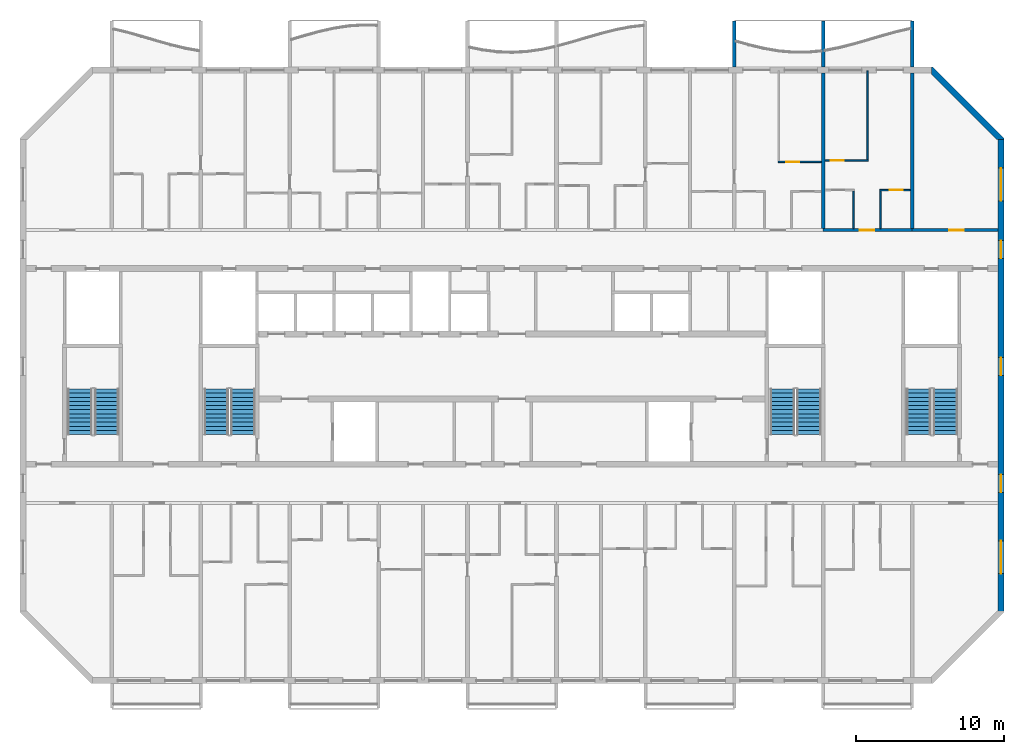
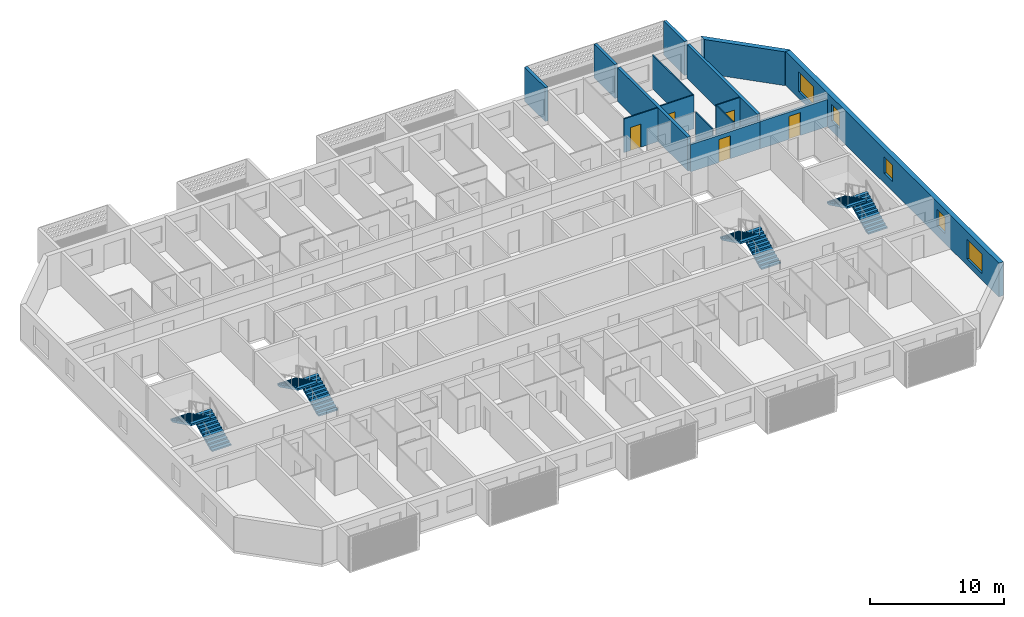
# One storey, part 11 of 26: 15 walls, 8 stair flights, 5 doors, 5 windows, 10 openings, 4 elements without a shape of their own.
"""IFC4 building model written with IfcOpenShell, lengths in metres."""

from ifc_helpers import new_model, si_unit, direction, frame, frame_2d, origin, place, context, subcontext, project, spatial, polyline, rectangle, outline, extrude, source, transform, mapped, material, layer, layer_set, type_object, element, fill, aggregate, save


model = new_model("IFC4")

# Units and contexts
model_context = context("Model", 3, precision=1e-05, world=origin(), true_north=direction((0.0, 1.0)))
body_context = subcontext(model_context, "Body", "Model", "MODEL_VIEW")
ifc_project = project(units=[si_unit("LENGTHUNIT", "METRE"), si_unit("AREAUNIT", "SQUARE_METRE"), si_unit("VOLUMEUNIT", "CUBIC_METRE"), si_unit("PLANEANGLEUNIT", "RADIAN"), si_unit("MASSUNIT", "GRAM", prefix="KILO")], contexts=[model_context])

# Site, building, storey
site_placement = place(None, origin())
site = spatial("IfcSite", under=ifc_project, at=site_placement, CompositionType="ELEMENT")
building_placement = place(site_placement, origin())
building = spatial("IfcBuilding", under=site, at=building_placement, Name="Poui Terraces", CompositionType="ELEMENT")
storey_placement = place(building_placement, frame((0.0, 0.0, 175.199951171875)))
storey = spatial("IfcBuildingStorey", under=building, at=storey_placement, Name="L48", CompositionType="ELEMENT", Elevation=175.199951171875)

# Wall, opening, door
ifc_material_1 = material(Name="Concrete 50 MPa", Category="concrete")
ifc_layer_1 = layer(ifc_material_1, 0.199951171875)
ifc_layer_set_1 = layer_set([ifc_layer_1], Name="Concrete 50 MPa")
wall_type_1 = type_object("IfcWallType", Name="CORRIDOR WALL 200 50MPa", PredefinedType="SHEAR", material=ifc_layer_set_1)
wall_1_placement = place(storey_placement, frame((72.0, 30.39990234375, 0.0), z_axis=(0.0, 0.0, 1.0), x_axis=(1.0, 0.0, 0.0)))
wall_1 = element("IfcWall", 1, at=wall_1_placement, inside=storey, type_object=wall_type_1, Name="CORRIDOR WALL LINE E BAY 10", PredefinedType="SHEAR", context=body_context, shape_type="SweptSolid", body=[
    extrude(rectangle(XDim=6.0, YDim=0.199951171875, at=frame_2d((3.0, 0.0))), origin(), (0.0, 0.0, 1.0), 2.47998046875),
])
opening_1_placement = place(wall_1_placement, frame((2.449951171875, 0.0, 0.0)))
opening_1 = element("IfcOpeningElement", 2, at=opening_1_placement, cuts=wall_1, Name="Opening FD30S", PredefinedType="OPENING", context=body_context, shape_type="SweptSolid", body=[
    extrude(rectangle(XDim=1.0, YDim=2.10009765625, at=frame_2d((0.5, 1.050048828125))), frame((0.0, 0.10986328125, 0.0), z_axis=(0.0, -1.0, 0.0), x_axis=(1.0, 0.0, 0.0)), (0.0, 0.0, 1.0), 0.219970703125),
])
ifc_material_2 = material(Name="Steel fire door", Category="steel")
door_type_1 = type_object("IfcDoorType", Name="FLAT ENTRANCE DOOR 1000 X 2100", OperationType="NOTDEFINED", PredefinedType="DOOR", material=ifc_material_2)
door_1_placement = place(opening_1_placement, origin())
door_1 = element("IfcDoor", 3, at=door_1_placement, inside=storey, type_object=door_type_1, Name="FLAT ENTRANCE DOOR 059", OperationType="SINGLE_SWING_LEFT", OverallHeight=2.10009765625, OverallWidth=1.0, PredefinedType="DOOR", context=body_context, shape_type="SweptSolid", body=[
    extrude(rectangle(XDim=1.0, YDim=2.10009765625, at=frame_2d((0.5, 1.050048828125))), frame((0.0, 0.02490234375, 0.0), z_axis=(0.0, -1.0, 0.0), x_axis=(1.0, 0.0, 0.0)), (0.0, 0.0, 1.0), 0.050048828125),
])
fill(opening_1, door_1)

wall_2_placement = place(storey_placement, frame((78.0, 30.39990234375, 0.0), z_axis=(0.0, 0.0, 1.0), x_axis=(1.0, 0.0, 0.0)))
wall_2 = element("IfcWall", 4, at=wall_2_placement, inside=storey, type_object=wall_type_1, Name="CORRIDOR WALL LINE E BAY 11", PredefinedType="SHEAR", context=body_context, shape_type="SweptSolid", body=[
    extrude(rectangle(XDim=5.800048828125, YDim=0.199951171875, at=frame_2d((2.89990234375, 0.0))), origin(), (0.0, 0.0, 1.0), 2.47998046875),
])
opening_2_placement = place(wall_2_placement, frame((2.5, 0.0, 0.0)))
opening_2 = element("IfcOpeningElement", 5, at=opening_2_placement, cuts=wall_2, Name="Opening D100", PredefinedType="OPENING", context=body_context, shape_type="SweptSolid", body=[
    extrude(rectangle(XDim=1.0, YDim=2.10009765625, at=frame_2d((0.5, 1.050048828125))), frame((0.0, 0.10986328125, 0.0), z_axis=(0.0, -1.0, 0.0), x_axis=(1.0, 0.0, 0.0)), (0.0, 0.0, 1.0), 0.219970703125),
])
ifc_material_3 = material(Name="Solid core timber door", Category="wood")
door_type_2 = type_object("IfcDoorType", Name="ACCESSIBLE INTERNAL DOOR 1000 X 2100", OperationType="NOTDEFINED", PredefinedType="DOOR", material=ifc_material_3)
door_2_placement = place(opening_2_placement, origin())
door_2 = element("IfcDoor", 6, at=door_2_placement, inside=storey, type_object=door_type_2, Name="ACCESSIBLE INTERNAL DOOR 061", OperationType="SINGLE_SWING_LEFT", OverallHeight=2.10009765625, OverallWidth=1.0, PredefinedType="DOOR", context=body_context, shape_type="SweptSolid", body=[
    extrude(rectangle(XDim=1.0, YDim=2.10009765625, at=frame_2d((0.5, 1.050048828125))), frame((0.0, 0.02490234375, 0.0), z_axis=(0.0, -1.0, 0.0), x_axis=(1.0, 0.0, 0.0)), (0.0, 0.0, 1.0), 0.050048828125),
])
fill(opening_2, door_2)

# Walls
ifc_layer_2 = layer(ifc_material_1, 0.25)
ifc_layer_set_2 = layer_set([ifc_layer_2], Name="Concrete 50 MPa")
wall_type_2 = type_object("IfcWallType", Name="CROSS WALL 250 50MPa", PredefinedType="SHEAR", material=ifc_layer_set_2)
for number, where, z_axis, x_axis, name in (
    (7, (72.0, 30.5, 0.0), (0.0, 0.0, 1.0), (0.0, 1.0, 0.0), "CROSS WALL LINE 13 NORTH"),
    (8, (78.0, 30.5, 0.0), (0.0, 0.0, 1.0), (0.0, 1.0, 0.0), "CROSS WALL LINE 14 NORTH"),
):
    element("IfcWall", number, at=place(storey_placement, frame(where, z_axis=z_axis, x_axis=x_axis)), inside=storey, type_object=wall_type_2, Name=name, PredefinedType="SHEAR", context=body_context, shape_type="SweptSolid", body=[
        extrude(rectangle(XDim=10.5, YDim=0.25, at=frame_2d((5.25, 0.0))), origin(), (0.0, 0.0, 1.0), 3.080078125),
    ])

# Wall, openings, windows
ifc_layer_3 = layer(ifc_material_1, 0.39990234375)
ifc_layer_set_3 = layer_set([ifc_layer_3], Name="Concrete 50 MPa")
wall_type_3 = type_object("IfcWallType", Name="END WALL 400 50MPa", PredefinedType="SHEAR", material=ifc_layer_set_3)
wall_3_placement = place(storey_placement, frame((84.0, 4.682861328125, 0.0), z_axis=(0.0, 0.0, 1.0), x_axis=(0.0, 1.0, 0.0)))
wall_3 = element("IfcWall", 9, at=wall_3_placement, inside=storey, type_object=wall_type_3, Name="END WALL EAST", PredefinedType="SHEAR", context=body_context, shape_type="SweptSolid", body=[
    extrude(rectangle(XDim=31.834228515625, YDim=0.39990234375, at=frame_2d((15.9169921875, 0.0))), origin(), (0.0, 0.0, 1.0), 3.080078125),
])
opening_3_placement = place(wall_3_placement, frame((23.817138671875, 0.0, 0.89990234375)))
opening_3 = element("IfcOpeningElement", 10, at=opening_3_placement, cuts=wall_3, Name="Opening W2", PredefinedType="OPENING", context=body_context, shape_type="SweptSolid", body=[
    extrude(rectangle(XDim=1.199951171875, YDim=1.5, at=frame_2d((0.60009765625, 0.75))), frame((0.0, 0.2099609375, 0.0), z_axis=(0.0, -1.0, 0.0), x_axis=(1.0, 0.0, 0.0)), (0.0, 0.0, 1.0), 0.419921875),
])
opening_4_placement = place(wall_3_placement, frame((8.01708984375, 0.0, 0.89990234375)))
opening_4 = element("IfcOpeningElement", 11, at=opening_4_placement, cuts=wall_3, Name="Opening W2", PredefinedType="OPENING", context=body_context, shape_type="SweptSolid", body=[
    extrude(rectangle(XDim=1.199951171875, YDim=1.5, at=frame_2d((0.60009765625, 0.75))), frame((0.0, 0.2099609375, 0.0), z_axis=(0.0, -1.0, 0.0), x_axis=(1.0, 0.0, 0.0)), (0.0, 0.0, 1.0), 0.419921875),
])
opening_5_placement = place(wall_3_placement, frame((27.693603515625, 0.0, 0.60009765625)))
opening_5 = element("IfcOpeningElement", 12, at=opening_5_placement, cuts=wall_3, Name="Opening W3", PredefinedType="OPENING", context=body_context, shape_type="SweptSolid", body=[
    extrude(rectangle(XDim=2.199951171875, YDim=1.800048828125, at=frame_2d((1.10009765625, 0.89990234375))), frame((0.0, 0.2099609375, 0.0), z_axis=(0.0, -1.0, 0.0), x_axis=(1.0, 0.0, 0.0)), (0.0, 0.0, 1.0), 0.419921875),
])
opening_6_placement = place(wall_3_placement, frame((2.541015625, 0.0, 0.60009765625)))
opening_6 = element("IfcOpeningElement", 13, at=opening_6_placement, cuts=wall_3, Name="Opening W3", PredefinedType="OPENING", context=body_context, shape_type="SweptSolid", body=[
    extrude(rectangle(XDim=2.199951171875, YDim=1.800048828125, at=frame_2d((1.10009765625, 0.89990234375))), frame((0.0, 0.2099609375, 0.0), z_axis=(0.0, -1.0, 0.0), x_axis=(1.0, 0.0, 0.0)), (0.0, 0.0, 1.0), 0.419921875),
])
opening_7_placement = place(wall_3_placement, frame((15.917236328125, 0.0, 0.89990234375)))
opening_7 = element("IfcOpeningElement", 14, at=opening_7_placement, cuts=wall_3, Name="Opening W2", PredefinedType="OPENING", context=body_context, shape_type="SweptSolid", body=[
    extrude(rectangle(XDim=1.199951171875, YDim=1.5, at=frame_2d((0.60009765625, 0.75))), frame((0.0, 0.2099609375, 0.0), z_axis=(0.0, -1.0, 0.0), x_axis=(1.0, 0.0, 0.0)), (0.0, 0.0, 1.0), 0.419921875),
])
ifc_material_4 = material(Name="Clear glass in aluminium frame", Category="aluminium")
window_type_1 = type_object("IfcWindowType", Name="WINDOW 1200X1500", PartitioningType="SINGLE_PANEL", PredefinedType="WINDOW", material=ifc_material_4)
window_1_placement = place(opening_3_placement, origin())
window_1 = element("IfcWindow", 15, at=window_1_placement, inside=storey, type_object=window_type_1, Name="W2 WINDOW", OverallHeight=1.5, OverallWidth=1.199951171875, PartitioningType="SINGLE_PANEL", PredefinedType="WINDOW", context=body_context, shape_type="SweptSolid", body=[
    extrude(rectangle(XDim=1.199951171875, YDim=1.5, at=frame_2d((0.60009765625, 0.75))), frame((0.0, 0.030029296875, 0.0), z_axis=(0.0, -1.0, 0.0), x_axis=(1.0, 0.0, 0.0)), (0.0, 0.0, 1.0), 0.06005859375),
])
fill(opening_3, window_1)
window_2_placement = place(opening_4_placement, origin())
window_2 = element("IfcWindow", 16, at=window_2_placement, inside=storey, type_object=window_type_1, Name="W2 WINDOW", OverallHeight=1.5, OverallWidth=1.199951171875, PartitioningType="SINGLE_PANEL", PredefinedType="WINDOW", context=body_context, shape_type="SweptSolid", body=[
    extrude(rectangle(XDim=1.199951171875, YDim=1.5, at=frame_2d((0.60009765625, 0.75))), frame((0.0, 0.030029296875, 0.0), z_axis=(0.0, -1.0, 0.0), x_axis=(1.0, 0.0, 0.0)), (0.0, 0.0, 1.0), 0.06005859375),
])
fill(opening_4, window_2)
window_3_placement = place(opening_7_placement, origin())
window_3 = element("IfcWindow", 17, at=window_3_placement, inside=storey, type_object=window_type_1, Name="W2 WINDOW", OverallHeight=1.5, OverallWidth=1.199951171875, PartitioningType="SINGLE_PANEL", PredefinedType="WINDOW", context=body_context, shape_type="SweptSolid", body=[
    extrude(rectangle(XDim=1.199951171875, YDim=1.5, at=frame_2d((0.60009765625, 0.75))), frame((0.0, 0.030029296875, 0.0), z_axis=(0.0, -1.0, 0.0), x_axis=(1.0, 0.0, 0.0)), (0.0, 0.0, 1.0), 0.06005859375),
])
fill(opening_7, window_3)
window_type_2 = type_object("IfcWindowType", Name="WINDOW 2200X1800", PartitioningType="DOUBLE_PANEL_HORIZONTAL", PredefinedType="WINDOW", material=ifc_material_4)
window_4_placement = place(opening_5_placement, origin())
window_4 = element("IfcWindow", 18, at=window_4_placement, inside=storey, type_object=window_type_2, Name="W3 WINDOW", OverallHeight=1.800048828125, OverallWidth=2.199951171875, PartitioningType="DOUBLE_PANEL_HORIZONTAL", PredefinedType="WINDOW", context=body_context, shape_type="SweptSolid", body=[
    extrude(rectangle(XDim=2.199951171875, YDim=1.800048828125, at=frame_2d((1.10009765625, 0.89990234375))), frame((0.0, 0.030029296875, 0.0), z_axis=(0.0, -1.0, 0.0), x_axis=(1.0, 0.0, 0.0)), (0.0, 0.0, 1.0), 0.06005859375),
])
fill(opening_5, window_4)
window_5_placement = place(opening_6_placement, origin())
window_5 = element("IfcWindow", 19, at=window_5_placement, inside=storey, type_object=window_type_2, Name="W3 WINDOW", OverallHeight=1.800048828125, OverallWidth=2.199951171875, PartitioningType="DOUBLE_PANEL_HORIZONTAL", PredefinedType="WINDOW", context=body_context, shape_type="SweptSolid", body=[
    extrude(rectangle(XDim=2.199951171875, YDim=1.800048828125, at=frame_2d((1.10009765625, 0.89990234375))), frame((0.0, 0.030029296875, 0.0), z_axis=(0.0, -1.0, 0.0), x_axis=(1.0, 0.0, 0.0)), (0.0, 0.0, 1.0), 0.06005859375),
])
fill(opening_6, window_5)

# Wall, opening, door
ifc_material_5 = material(Name="Plasterboard partition")
ifc_layer_4 = layer(ifc_material_5, 0.10009765625)
ifc_layer_set_4 = layer_set([ifc_layer_4], Name="Plasterboard partition")
wall_type_4 = type_object("IfcWallType", Name="FLAT PARTITION 100", PredefinedType="PARTITIONING", material=ifc_layer_set_4)
wall_4_placement = place(storey_placement, frame((75.800048828125, 33.10009765625, 0.0), z_axis=(0.0, 0.0, 1.0), x_axis=(1.0, 0.0, 0.0)))
wall_4 = element("IfcWall", 20, at=wall_4_placement, inside=storey, type_object=wall_type_4, Name="FLAT PARTITION 100", PredefinedType="PARTITIONING", context=body_context, shape_type="SweptSolid", body=[
    extrude(rectangle(XDim=2.06494140625, YDim=0.10009765625, at=frame_2d((1.032470703125, 0.0))), origin(), (0.0, 0.0, 1.0), 3.080078125),
])
opening_8_placement = place(wall_4_placement, frame((0.675048828125, 0.0, 0.0)))
opening_8 = element("IfcOpeningElement", 21, at=opening_8_placement, cuts=wall_4, Name="Opening D90", PredefinedType="OPENING", context=body_context, shape_type="SweptSolid", body=[
    extrude(rectangle(XDim=0.89990234375, YDim=2.10009765625, at=frame_2d((0.449951171875, 1.050048828125))), frame((0.0, 0.06005859375, 0.0), z_axis=(0.0, -1.0, 0.0), x_axis=(1.0, 0.0, 0.0)), (0.0, 0.0, 1.0), 0.1201171875),
])
door_type_3 = type_object("IfcDoorType", Name="INTERNAL DOOR 900 X 2100", OperationType="NOTDEFINED", PredefinedType="DOOR", material=ifc_material_3)
door_3_placement = place(opening_8_placement, frame((0.89990234375, 0.0, 0.0), z_axis=(0.0, 0.0, 1.0), x_axis=(-1.0, 0.0, 0.0)))
door_3 = element("IfcDoor", 22, at=door_3_placement, inside=storey, type_object=door_type_3, Name="INTERNAL DOOR 060", OperationType="SINGLE_SWING_LEFT", OverallHeight=2.10009765625, OverallWidth=0.89990234375, PredefinedType="DOOR", context=body_context, shape_type="SweptSolid", body=[
    extrude(rectangle(XDim=0.89990234375, YDim=2.10009765625, at=frame_2d((0.449951171875, 1.050048828125))), frame((0.0, 0.02490234375, 0.0), z_axis=(0.0, -1.0, 0.0), x_axis=(1.0, 0.0, 0.0)), (0.0, 0.0, 1.0), 0.050048828125),
])
fill(opening_8, door_3)

wall_5_placement = place(storey_placement, frame((68.949951171875, 35.0, 0.0), z_axis=(0.0, 0.0, 1.0), x_axis=(1.0, 0.0, 0.0)))
wall_5 = element("IfcWall", 23, at=wall_5_placement, inside=storey, type_object=wall_type_4, Name="FLAT PARTITION 100", PredefinedType="PARTITIONING", context=body_context, shape_type="SweptSolid", body=[
    extrude(rectangle(XDim=2.9150390625, YDim=0.10009765625, at=frame_2d((1.45751953125, 0.0))), origin(), (0.0, 0.0, 1.0), 3.080078125),
])
opening_9_placement = place(wall_5_placement, frame((0.550048828125, 0.0, 0.0)))
opening_9 = element("IfcOpeningElement", 24, at=opening_9_placement, cuts=wall_5, Name="Opening D90", PredefinedType="OPENING", context=body_context, shape_type="SweptSolid", body=[
    extrude(rectangle(XDim=0.89990234375, YDim=2.10009765625, at=frame_2d((0.449951171875, 1.050048828125))), frame((0.0, 0.06005859375, 0.0), z_axis=(0.0, -1.0, 0.0), x_axis=(1.0, 0.0, 0.0)), (0.0, 0.0, 1.0), 0.1201171875),
])
door_4_placement = place(opening_9_placement, frame((0.89990234375, 0.0, 0.0), z_axis=(0.0, 0.0, 1.0), x_axis=(-1.0, 0.0, 0.0)))
door_4 = element("IfcDoor", 25, at=door_4_placement, inside=storey, type_object=door_type_3, Name="INTERNAL DOOR 055", OperationType="SINGLE_SWING_LEFT", OverallHeight=2.10009765625, OverallWidth=0.89990234375, PredefinedType="DOOR", context=body_context, shape_type="SweptSolid", body=[
    extrude(rectangle(XDim=0.89990234375, YDim=2.10009765625, at=frame_2d((0.449951171875, 1.050048828125))), frame((0.0, 0.02490234375, 0.0), z_axis=(0.0, -1.0, 0.0), x_axis=(1.0, 0.0, 0.0)), (0.0, 0.0, 1.0), 0.050048828125),
])
fill(opening_9, door_4)

wall_6_placement = place(storey_placement, frame((72.135009765625, 35.10009765625, 0.0), z_axis=(0.0, 0.0, 1.0), x_axis=(1.0, 0.0, 0.0)))
wall_6 = element("IfcWall", 26, at=wall_6_placement, inside=storey, type_object=wall_type_4, Name="FLAT PARTITION 100", PredefinedType="PARTITIONING", context=body_context, shape_type="SweptSolid", body=[
    extrude(rectangle(XDim=2.9150390625, YDim=0.10009765625, at=frame_2d((1.45751953125, 0.0))), origin(), (0.0, 0.0, 1.0), 3.080078125),
])
opening_10_placement = place(wall_6_placement, frame((0.364990234375, 0.0, 0.0)))
opening_10 = element("IfcOpeningElement", 27, at=opening_10_placement, cuts=wall_6, Name="Opening D90", PredefinedType="OPENING", context=body_context, shape_type="SweptSolid", body=[
    extrude(rectangle(XDim=0.89990234375, YDim=2.10009765625, at=frame_2d((0.449951171875, 1.050048828125))), frame((0.0, 0.06005859375, 0.0), z_axis=(0.0, -1.0, 0.0), x_axis=(1.0, 0.0, 0.0)), (0.0, 0.0, 1.0), 0.1201171875),
])
door_5_placement = place(opening_10_placement, frame((0.89990234375, 0.0, 0.0), z_axis=(0.0, 0.0, 1.0), x_axis=(-1.0, 0.0, 0.0)))
door_5 = element("IfcDoor", 28, at=door_5_placement, inside=storey, type_object=door_type_3, Name="INTERNAL DOOR 057", OperationType="SINGLE_SWING_LEFT", OverallHeight=2.10009765625, OverallWidth=0.89990234375, PredefinedType="DOOR", context=body_context, shape_type="SweptSolid", body=[
    extrude(rectangle(XDim=0.89990234375, YDim=2.10009765625, at=frame_2d((0.449951171875, 1.050048828125))), frame((0.0, 0.02490234375, 0.0), z_axis=(0.0, -1.0, 0.0), x_axis=(1.0, 0.0, 0.0)), (0.0, 0.0, 1.0), 0.050048828125),
])
fill(opening_10, door_5)

# Walls
wall_7_placement = place(storey_placement, frame((74.050048828125, 30.510009765625, 0.0), z_axis=(0.0, 0.0, 1.0), x_axis=(0.0, 1.0, 0.0)))
element("IfcWall", 29, at=wall_7_placement, inside=storey, type_object=wall_type_4, Name="FLAT PARTITION 100", PredefinedType="PARTITIONING", context=body_context, shape_type="SweptSolid", body=[
    extrude(rectangle(XDim=2.5400390625, YDim=0.10009765625, at=frame_2d((1.27001953125, 0.0))), origin(), (0.0, 0.0, 1.0), 3.080078125),
])
wall_8_placement = place(storey_placement, frame((75.0, 35.14990234375, 0.0), z_axis=(0.0, 0.0, 1.0), x_axis=(0.0, 1.0, 0.0)))
element("IfcWall", 30, at=wall_8_placement, inside=storey, type_object=wall_type_4, Name="FLAT PARTITION 100", PredefinedType="PARTITIONING", context=body_context, shape_type="SweptSolid", body=[
    extrude(rectangle(XDim=5.989990234375, YDim=0.10009765625, at=frame_2d((2.9951171875, 0.0))), origin(), (0.0, 0.0, 1.0), 3.080078125),
])
wall_9_placement = place(storey_placement, frame((75.85009765625, 30.510009765625, 0.0), z_axis=(0.0, 0.0, 1.0), x_axis=(0.0, 1.0, 0.0)))
element("IfcWall", 31, at=wall_9_placement, inside=storey, type_object=wall_type_4, Name="FLAT PARTITION 100", PredefinedType="PARTITIONING", context=body_context, shape_type="SweptSolid", body=[
    extrude(rectangle(XDim=2.5400390625, YDim=0.10009765625, at=frame_2d((1.27001953125, 0.0))), origin(), (0.0, 0.0, 1.0), 3.080078125),
])
ifc_material_6 = material(Name="Precast concrete 40 MPa", Category="concrete")
ifc_layer_5 = layer(ifc_material_6, 0.39990234375)
ifc_layer_set_5 = layer_set([ifc_layer_5], Name="Precast concrete 40 MPa")
wall_type_5 = type_object("IfcWallType", Name="TERRACOTTA CLAD CHAMFER WALL 400", PredefinedType="STANDARD", material=ifc_layer_set_5)
wall_10_placement = place(storey_placement, origin())
element("IfcWall", 32, at=wall_10_placement, inside=storey, type_object=wall_type_5, Name="CHAMFER WALL CH03", PredefinedType="STANDARD", context=body_context, shape_type="SweptSolid", body=[
    extrude(outline(polyline([(84.199951171875, 36.51708984375), (84.199951171875, 36.60009765625), (79.39990234375, 41.39990234375), (79.317138671875, 41.39990234375), (79.317138671875, 40.917236328125), (83.71728515625, 36.51708984375), (84.199951171875, 36.51708984375)])), origin(), (0.0, 0.0, 1.0), 3.080078125),
])
ifc_layer_6 = layer(ifc_material_6, 0.25)
ifc_layer_set_6 = layer_set([ifc_layer_6], Name="Precast concrete 40 MPa")
wall_type_6 = type_object("IfcWallType", Name="BALCONY FIN 250", PredefinedType="STANDARD", material=ifc_layer_set_6)
shared_shape = source(origin(), body_context, "Body", "SweptSolid", [
    extrude(outline(polyline([(0.0, 0.0), (0.25, 0.0), (0.25, 3.10009765625), (0.0, 3.10009765625), (0.0, 0.0)])), origin(), (0.0, 0.0, 1.0), 3.10009765625),
])
for number, where, name in (
    (33, (65.875, 41.39990234375, 0.0), "BALCONY FIN"),
    (34, (71.875, 41.39990234375, 0.0), "BALCONY FIN"),
    (35, (77.875, 41.39990234375, 0.0), "BALCONY FIN"),
):
    element("IfcWall", number, at=place(storey_placement, frame(where)), inside=storey, type_object=wall_type_6, Name=name, PredefinedType="STANDARD", context=body_context, shape_type="MappedRepresentation", body=[
        mapped(shared_shape, transform((0.0, 0.0, 0.0))),
    ])

# Stair, stair flights
stair_type = type_object("IfcStairType", Name="EXIT STAIR 1650 50 MPA", PredefinedType="HALF_TURN_STAIR", material=ifc_material_1)
stair_1_placement = place(storey_placement, origin())
stair_1 = element("IfcStair", 36, at=stair_1_placement, inside=storey, type_object=stair_type, Name="L48 CORE STAIR EAST", PredefinedType="HALF_TURN_STAIR")
ifc_layer_7 = layer(ifc_material_1, 0.14990234375)
ifc_layer_set_7 = layer_set([ifc_layer_7], Name="Concrete 50 MPa")
stair_flight_type = type_object("IfcStairFlightType", Name="STAIR FLIGHT 12 RISERS 138 RISE 50 MPA", PredefinedType="STRAIGHT", material=ifc_layer_set_7)
stair_flight_1_placement = place(storey_placement, frame((71.050048828125, 16.60009765625, 0.0), z_axis=(0.0, 0.0, 1.0), x_axis=(0.0, 1.0, 0.0)))
stair_flight_1 = element("IfcStairFlight", 37, at=stair_flight_1_placement, type_object=stair_flight_type, Name="ST-CE flight 1", NumberOfRisers=12, NumberOfTreads=11, PredefinedType="STRAIGHT", RiserHeight=0.1375, TreadLength=0.28, context=body_context, shape_type="SweptSolid", body=[
    extrude(outline(polyline([(0.0, 0.0), (0.0, 0.137451171875), (0.280029296875, 0.137451171875), (0.280029296875, 0.27490234375), (0.56005859375, 0.27490234375), (0.56005859375, 0.41259765625), (0.840087890625, 0.41259765625), (0.840087890625, 0.550048828125), (1.1201171875, 0.550048828125), (1.1201171875, 0.6875), (1.39990234375, 0.6875), (1.39990234375, 0.824951171875), (1.679931640625, 0.824951171875), (1.679931640625, 0.96240234375), (1.9599609375, 0.96240234375), (1.9599609375, 1.10009765625), (2.239990234375, 1.10009765625), (2.239990234375, 1.237548828125), (2.52001953125, 1.237548828125), (2.52001953125, 1.375), (2.800048828125, 1.375), (2.800048828125, 1.512451171875), (3.080078125, 1.512451171875), (3.080078125, 1.64990234375), (3.080078125, 1.345458984375), (0.340087890625, 0.0), (0.0, 0.0)])), frame((0.0, 0.824951171875, 0.0), z_axis=(0.0, -1.0, 0.0), x_axis=(1.0, 0.0, 0.0)), (0.0, 0.0, 1.0), 1.64990234375),
])
stair_flight_2_placement = place(storey_placement, frame((69.25, 19.679931640625, 1.650146484375), z_axis=(0.0, 0.0, 1.0), x_axis=(0.0, -1.0, 0.0)))
stair_flight_2 = element("IfcStairFlight", 38, at=stair_flight_2_placement, type_object=stair_flight_type, Name="ST-CE flight 2", NumberOfRisers=12, NumberOfTreads=11, PredefinedType="STRAIGHT", RiserHeight=0.1375, TreadLength=0.28, context=body_context, shape_type="SweptSolid", body=[
    extrude(outline(polyline([(0.0, 0.0), (0.0, 0.137451171875), (0.280029296875, 0.137451171875), (0.280029296875, 0.27490234375), (0.56005859375, 0.27490234375), (0.56005859375, 0.41259765625), (0.840087890625, 0.41259765625), (0.840087890625, 0.550048828125), (1.1201171875, 0.550048828125), (1.1201171875, 0.6875), (1.39990234375, 0.6875), (1.39990234375, 0.824951171875), (1.679931640625, 0.824951171875), (1.679931640625, 0.96240234375), (1.9599609375, 0.96240234375), (1.9599609375, 1.10009765625), (2.239990234375, 1.10009765625), (2.239990234375, 1.237548828125), (2.52001953125, 1.237548828125), (2.52001953125, 1.375), (2.800048828125, 1.375), (2.800048828125, 1.512451171875), (3.080078125, 1.512451171875), (3.080078125, 1.64990234375), (3.080078125, 1.345458984375), (0.340087890625, 0.0), (0.0, 0.0)])), frame((0.0, 0.824951171875, 0.0), z_axis=(0.0, -1.0, 0.0), x_axis=(1.0, 0.0, 0.0)), (0.0, 0.0, 1.0), 1.64990234375),
])
aggregate(stair_1, [stair_flight_1, stair_flight_2])

stair_2_placement = place(storey_placement, origin())
stair_2 = element("IfcStair", 39, at=stair_2_placement, inside=storey, type_object=stair_type, Name="L48 CORE STAIR WEST", PredefinedType="HALF_TURN_STAIR")
stair_flight_3_placement = place(storey_placement, frame((32.85009765625, 16.60009765625, 0.0), z_axis=(0.0, 0.0, 1.0), x_axis=(0.0, 1.0, 0.0)))
stair_flight_3 = element("IfcStairFlight", 40, at=stair_flight_3_placement, type_object=stair_flight_type, Name="ST-CW flight 1", NumberOfRisers=12, NumberOfTreads=11, PredefinedType="STRAIGHT", RiserHeight=0.1375, TreadLength=0.28, context=body_context, shape_type="SweptSolid", body=[
    extrude(outline(polyline([(0.0, 0.0), (0.0, 0.137451171875), (0.280029296875, 0.137451171875), (0.280029296875, 0.27490234375), (0.56005859375, 0.27490234375), (0.56005859375, 0.41259765625), (0.840087890625, 0.41259765625), (0.840087890625, 0.550048828125), (1.1201171875, 0.550048828125), (1.1201171875, 0.6875), (1.39990234375, 0.6875), (1.39990234375, 0.824951171875), (1.679931640625, 0.824951171875), (1.679931640625, 0.96240234375), (1.9599609375, 0.96240234375), (1.9599609375, 1.10009765625), (2.239990234375, 1.10009765625), (2.239990234375, 1.237548828125), (2.52001953125, 1.237548828125), (2.52001953125, 1.375), (2.800048828125, 1.375), (2.800048828125, 1.512451171875), (3.080078125, 1.512451171875), (3.080078125, 1.64990234375), (3.080078125, 1.345458984375), (0.340087890625, 0.0), (0.0, 0.0)])), frame((0.0, 0.824951171875, 0.0), z_axis=(0.0, -1.0, 0.0), x_axis=(1.0, 0.0, 0.0)), (0.0, 0.0, 1.0), 1.64990234375),
])
stair_flight_4_placement = place(storey_placement, frame((31.050048828125, 19.679931640625, 1.650146484375), z_axis=(0.0, 0.0, 1.0), x_axis=(0.0, -1.0, 0.0)))
stair_flight_4 = element("IfcStairFlight", 41, at=stair_flight_4_placement, type_object=stair_flight_type, Name="ST-CW flight 2", NumberOfRisers=12, NumberOfTreads=11, PredefinedType="STRAIGHT", RiserHeight=0.1375, TreadLength=0.28, context=body_context, shape_type="SweptSolid", body=[
    extrude(outline(polyline([(0.0, 0.0), (0.0, 0.137451171875), (0.280029296875, 0.137451171875), (0.280029296875, 0.27490234375), (0.56005859375, 0.27490234375), (0.56005859375, 0.41259765625), (0.840087890625, 0.41259765625), (0.840087890625, 0.550048828125), (1.1201171875, 0.550048828125), (1.1201171875, 0.6875), (1.39990234375, 0.6875), (1.39990234375, 0.824951171875), (1.679931640625, 0.824951171875), (1.679931640625, 0.96240234375), (1.9599609375, 0.96240234375), (1.9599609375, 1.10009765625), (2.239990234375, 1.10009765625), (2.239990234375, 1.237548828125), (2.52001953125, 1.237548828125), (2.52001953125, 1.375), (2.800048828125, 1.375), (2.800048828125, 1.512451171875), (3.080078125, 1.512451171875), (3.080078125, 1.64990234375), (3.080078125, 1.345458984375), (0.340087890625, 0.0), (0.0, 0.0)])), frame((0.0, 0.824951171875, 0.0), z_axis=(0.0, -1.0, 0.0), x_axis=(1.0, 0.0, 0.0)), (0.0, 0.0, 1.0), 1.64990234375),
])
aggregate(stair_2, [stair_flight_3, stair_flight_4])

stair_3_placement = place(storey_placement, origin())
stair_3 = element("IfcStair", 42, at=stair_3_placement, inside=storey, type_object=stair_type, Name="L48 TIP STAIR EAST", PredefinedType="HALF_TURN_STAIR")
stair_flight_5_placement = place(storey_placement, frame((80.25, 16.60009765625, 0.0), z_axis=(0.0, 0.0, 1.0), x_axis=(0.0, 1.0, 0.0)))
stair_flight_5 = element("IfcStairFlight", 43, at=stair_flight_5_placement, type_object=stair_flight_type, Name="ST-E flight 1", NumberOfRisers=12, NumberOfTreads=11, PredefinedType="STRAIGHT", RiserHeight=0.1375, TreadLength=0.28, context=body_context, shape_type="SweptSolid", body=[
    extrude(outline(polyline([(0.0, 0.0), (0.0, 0.137451171875), (0.280029296875, 0.137451171875), (0.280029296875, 0.27490234375), (0.56005859375, 0.27490234375), (0.56005859375, 0.41259765625), (0.840087890625, 0.41259765625), (0.840087890625, 0.550048828125), (1.1201171875, 0.550048828125), (1.1201171875, 0.6875), (1.39990234375, 0.6875), (1.39990234375, 0.824951171875), (1.679931640625, 0.824951171875), (1.679931640625, 0.96240234375), (1.9599609375, 0.96240234375), (1.9599609375, 1.10009765625), (2.239990234375, 1.10009765625), (2.239990234375, 1.237548828125), (2.52001953125, 1.237548828125), (2.52001953125, 1.375), (2.800048828125, 1.375), (2.800048828125, 1.512451171875), (3.080078125, 1.512451171875), (3.080078125, 1.64990234375), (3.080078125, 1.345458984375), (0.340087890625, 0.0), (0.0, 0.0)])), frame((0.0, 0.824951171875, 0.0), z_axis=(0.0, -1.0, 0.0), x_axis=(1.0, 0.0, 0.0)), (0.0, 0.0, 1.0), 1.64990234375),
])
stair_flight_6_placement = place(storey_placement, frame((78.449951171875, 19.679931640625, 1.650146484375), z_axis=(0.0, 0.0, 1.0), x_axis=(0.0, -1.0, 0.0)))
stair_flight_6 = element("IfcStairFlight", 44, at=stair_flight_6_placement, type_object=stair_flight_type, Name="ST-E flight 2", NumberOfRisers=12, NumberOfTreads=11, PredefinedType="STRAIGHT", RiserHeight=0.1375, TreadLength=0.28, context=body_context, shape_type="SweptSolid", body=[
    extrude(outline(polyline([(0.0, 0.0), (0.0, 0.137451171875), (0.280029296875, 0.137451171875), (0.280029296875, 0.27490234375), (0.56005859375, 0.27490234375), (0.56005859375, 0.41259765625), (0.840087890625, 0.41259765625), (0.840087890625, 0.550048828125), (1.1201171875, 0.550048828125), (1.1201171875, 0.6875), (1.39990234375, 0.6875), (1.39990234375, 0.824951171875), (1.679931640625, 0.824951171875), (1.679931640625, 0.96240234375), (1.9599609375, 0.96240234375), (1.9599609375, 1.10009765625), (2.239990234375, 1.10009765625), (2.239990234375, 1.237548828125), (2.52001953125, 1.237548828125), (2.52001953125, 1.375), (2.800048828125, 1.375), (2.800048828125, 1.512451171875), (3.080078125, 1.512451171875), (3.080078125, 1.64990234375), (3.080078125, 1.345458984375), (0.340087890625, 0.0), (0.0, 0.0)])), frame((0.0, 0.824951171875, 0.0), z_axis=(0.0, -1.0, 0.0), x_axis=(1.0, 0.0, 0.0)), (0.0, 0.0, 1.0), 1.64990234375),
])
aggregate(stair_3, [stair_flight_5, stair_flight_6])

stair_4_placement = place(storey_placement, origin())
stair_4 = element("IfcStair", 45, at=stair_4_placement, inside=storey, type_object=stair_type, Name="L48 TIP STAIR WEST", PredefinedType="HALF_TURN_STAIR")
stair_flight_7_placement = place(storey_placement, frame((23.64990234375, 16.60009765625, 0.0), z_axis=(0.0, 0.0, 1.0), x_axis=(0.0, 1.0, 0.0)))
stair_flight_7 = element("IfcStairFlight", 46, at=stair_flight_7_placement, type_object=stair_flight_type, Name="ST-W flight 1", NumberOfRisers=12, NumberOfTreads=11, PredefinedType="STRAIGHT", RiserHeight=0.1375, TreadLength=0.28, context=body_context, shape_type="SweptSolid", body=[
    extrude(outline(polyline([(0.0, 0.0), (0.0, 0.137451171875), (0.280029296875, 0.137451171875), (0.280029296875, 0.27490234375), (0.56005859375, 0.27490234375), (0.56005859375, 0.41259765625), (0.840087890625, 0.41259765625), (0.840087890625, 0.550048828125), (1.1201171875, 0.550048828125), (1.1201171875, 0.6875), (1.39990234375, 0.6875), (1.39990234375, 0.824951171875), (1.679931640625, 0.824951171875), (1.679931640625, 0.96240234375), (1.9599609375, 0.96240234375), (1.9599609375, 1.10009765625), (2.239990234375, 1.10009765625), (2.239990234375, 1.237548828125), (2.52001953125, 1.237548828125), (2.52001953125, 1.375), (2.800048828125, 1.375), (2.800048828125, 1.512451171875), (3.080078125, 1.512451171875), (3.080078125, 1.64990234375), (3.080078125, 1.345458984375), (0.340087890625, 0.0), (0.0, 0.0)])), frame((0.0, 0.824951171875, 0.0), z_axis=(0.0, -1.0, 0.0), x_axis=(1.0, 0.0, 0.0)), (0.0, 0.0, 1.0), 1.64990234375),
])
stair_flight_8_placement = place(storey_placement, frame((21.85009765625, 19.679931640625, 1.650146484375), z_axis=(0.0, 0.0, 1.0), x_axis=(0.0, -1.0, 0.0)))
stair_flight_8 = element("IfcStairFlight", 47, at=stair_flight_8_placement, type_object=stair_flight_type, Name="ST-W flight 2", NumberOfRisers=12, NumberOfTreads=11, PredefinedType="STRAIGHT", RiserHeight=0.1375, TreadLength=0.28, context=body_context, shape_type="SweptSolid", body=[
    extrude(outline(polyline([(0.0, 0.0), (0.0, 0.137451171875), (0.280029296875, 0.137451171875), (0.280029296875, 0.27490234375), (0.56005859375, 0.27490234375), (0.56005859375, 0.41259765625), (0.840087890625, 0.41259765625), (0.840087890625, 0.550048828125), (1.1201171875, 0.550048828125), (1.1201171875, 0.6875), (1.39990234375, 0.6875), (1.39990234375, 0.824951171875), (1.679931640625, 0.824951171875), (1.679931640625, 0.96240234375), (1.9599609375, 0.96240234375), (1.9599609375, 1.10009765625), (2.239990234375, 1.10009765625), (2.239990234375, 1.237548828125), (2.52001953125, 1.237548828125), (2.52001953125, 1.375), (2.800048828125, 1.375), (2.800048828125, 1.512451171875), (3.080078125, 1.512451171875), (3.080078125, 1.64990234375), (3.080078125, 1.345458984375), (0.340087890625, 0.0), (0.0, 0.0)])), frame((0.0, 0.824951171875, 0.0), z_axis=(0.0, -1.0, 0.0), x_axis=(1.0, 0.0, 0.0)), (0.0, 0.0, 1.0), 1.64990234375),
])
aggregate(stair_4, [stair_flight_7, stair_flight_8])

save(model, "model.ifc")
